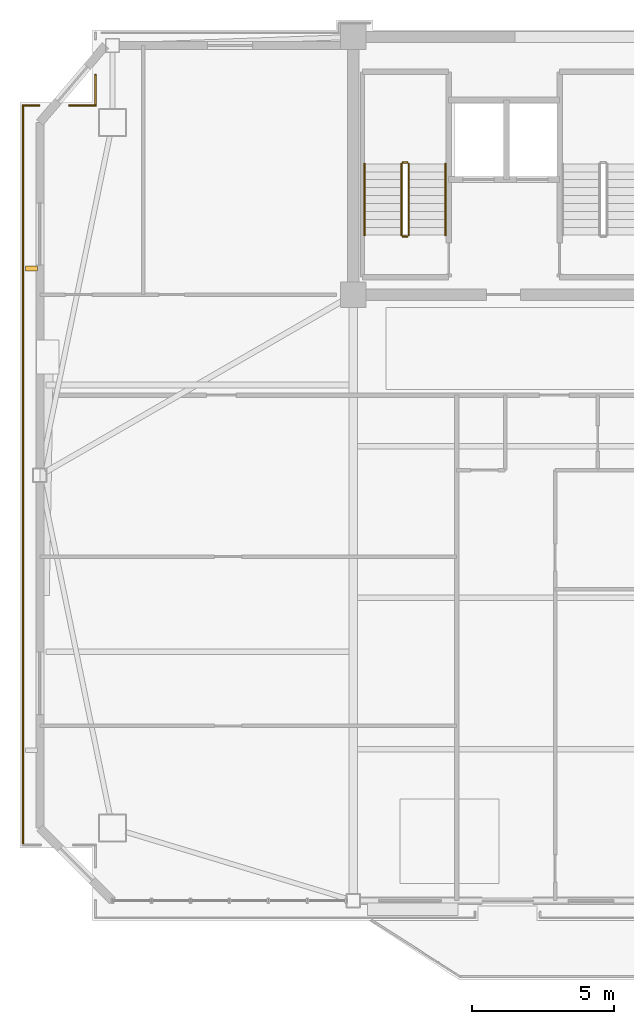
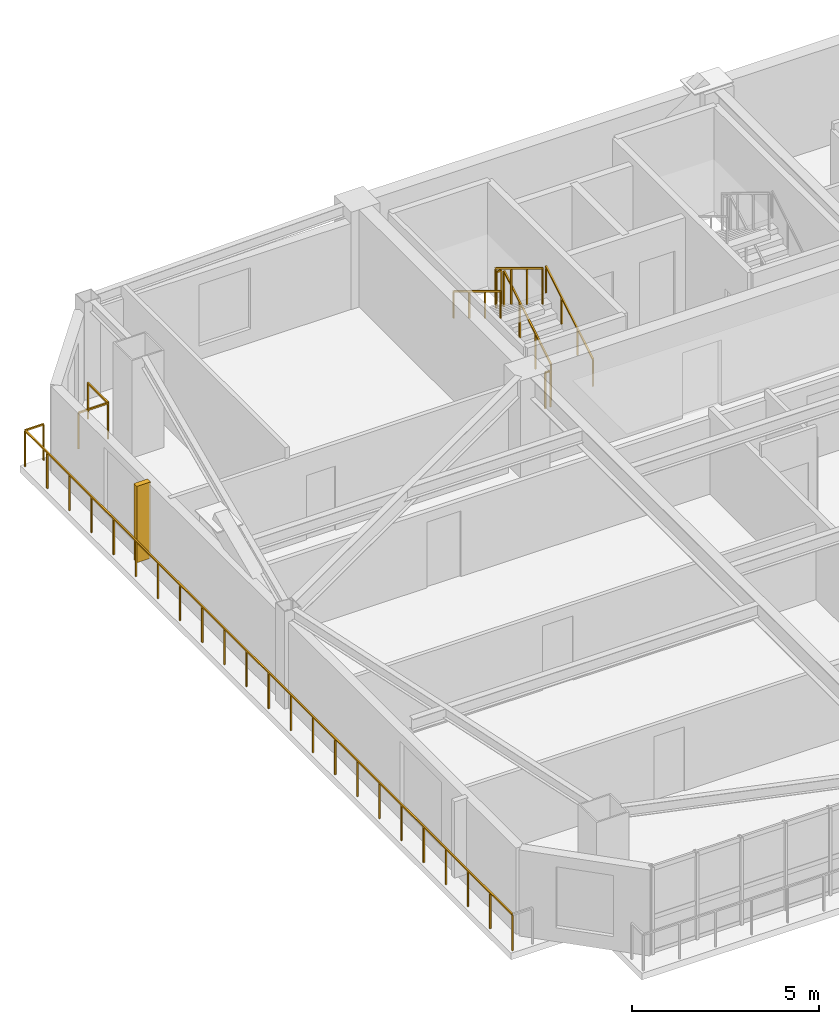
# One storey, part 14 of 18: 10 railings, 1 shading device.
"""IFC4 building model written with IfcOpenShell, lengths in metres."""

from ifc_helpers import new_model, si_unit, direction, frame, origin, origin_2d, place, context, subcontext, project, spatial, rectangle, extrude, source, transform, mapped, material, type_object, element, save


model = new_model("IFC4")

# Units and contexts
model_context = context("Model", 3, precision=1e-05, world=origin(), true_north=direction((0.0, 1.0)))
body_context = subcontext(model_context, "Body", "Model", "MODEL_VIEW")
ifc_project = project(units=[si_unit("LENGTHUNIT", "METRE"), si_unit("AREAUNIT", "SQUARE_METRE"), si_unit("VOLUMEUNIT", "CUBIC_METRE"), si_unit("PLANEANGLEUNIT", "RADIAN"), si_unit("MASSUNIT", "GRAM", prefix="KILO")], contexts=[model_context])

# Site, building, storey
site_placement = place(None, origin())
site = spatial("IfcSite", under=ifc_project, at=site_placement, CompositionType="ELEMENT")
building_placement = place(site_placement, origin())
building = spatial("IfcBuilding", under=site, at=building_placement, Name="Giltprow Tower", CompositionType="ELEMENT")
storey_placement = place(building_placement, frame((0.0, 0.0, 262.10009765625)))
storey = spatial("IfcBuildingStorey", under=building, at=storey_placement, Name="L67", CompositionType="ELEMENT", Elevation=262.10009765625)

# Railings
ifc_material = material(Name="Anodized bronze", Category="metal")
railing_type_1 = type_object("IfcRailingType", Name="RAIL-BALC-GUARD-1200", PredefinedType="BALUSTRADE", material=ifc_material)
railing_1_placement = place(storey_placement, frame((8.178955078125, 18.012939453125, 0.0)))
element("IfcRailing", 1, at=railing_1_placement, inside=storey, type_object=railing_type_1, Name="L67 Corner Apron Edge Balustrade 17", PredefinedType="BALUSTRADE", context=body_context, shape_type="SweptSolid", body=[
    extrude(rectangle(XDim=0.048095703125, YDim=0.048095703125, at=origin_2d()), frame((0.0, 0.0, 1.17578125), z_axis=(0.0, 1.0, 0.0), x_axis=(-1.0, 0.0, 0.0)), (0.0, 0.0, 1.0), 26.116943359375),
    extrude(rectangle(XDim=0.0419921875, YDim=0.0419921875, at=origin_2d()), origin(), (0.0, 0.0, 1.0), 1.15185546875),
    extrude(rectangle(XDim=0.0419921875, YDim=0.0419921875, at=origin_2d()), frame((0.0, 1.18701171875, 0.0)), (0.0, 0.0, 1.0), 1.15185546875),
    extrude(rectangle(XDim=0.0419921875, YDim=0.0419921875, at=origin_2d()), frame((0.0, 2.374267578125, 0.0)), (0.0, 0.0, 1.0), 1.15185546875),
    extrude(rectangle(XDim=0.0419921875, YDim=0.0419921875, at=origin_2d()), frame((0.0, 3.561279296875, 0.0)), (0.0, 0.0, 1.0), 1.15185546875),
    extrude(rectangle(XDim=0.0419921875, YDim=0.0419921875, at=origin_2d()), frame((0.0, 4.74853515625, 0.0)), (0.0, 0.0, 1.0), 1.15185546875),
    extrude(rectangle(XDim=0.0419921875, YDim=0.0419921875, at=origin_2d()), frame((0.0, 5.935546875, 0.0)), (0.0, 0.0, 1.0), 1.15185546875),
    extrude(rectangle(XDim=0.0419921875, YDim=0.0419921875, at=origin_2d()), frame((0.0, 7.122802734375, 0.0)), (0.0, 0.0, 1.0), 1.15185546875),
    extrude(rectangle(XDim=0.0419921875, YDim=0.0419921875, at=origin_2d()), frame((0.0, 8.31005859375, 0.0)), (0.0, 0.0, 1.0), 1.15185546875),
    extrude(rectangle(XDim=0.0419921875, YDim=0.0419921875, at=origin_2d()), frame((0.0, 9.4970703125, 0.0)), (0.0, 0.0, 1.0), 1.15185546875),
    extrude(rectangle(XDim=0.0419921875, YDim=0.0419921875, at=origin_2d()), frame((0.0, 10.68408203125, 0.0)), (0.0, 0.0, 1.0), 1.15185546875),
    extrude(rectangle(XDim=0.0419921875, YDim=0.0419921875, at=origin_2d()), frame((0.0, 11.871337890625, 0.0)), (0.0, 0.0, 1.0), 1.15185546875),
    extrude(rectangle(XDim=0.0419921875, YDim=0.0419921875, at=origin_2d()), frame((0.0, 13.05859375, 0.0)), (0.0, 0.0, 1.0), 1.15185546875),
    extrude(rectangle(XDim=0.0419921875, YDim=0.0419921875, at=origin_2d()), frame((0.0, 14.24560546875, 0.0)), (0.0, 0.0, 1.0), 1.15185546875),
    extrude(rectangle(XDim=0.0419921875, YDim=0.0419921875, at=origin_2d()), frame((0.0, 15.4326171875, 0.0)), (0.0, 0.0, 1.0), 1.15185546875),
    extrude(rectangle(XDim=0.0419921875, YDim=0.0419921875, at=origin_2d()), frame((0.0, 16.619873046875, 0.0)), (0.0, 0.0, 1.0), 1.15185546875),
    extrude(rectangle(XDim=0.0419921875, YDim=0.0419921875, at=origin_2d()), frame((0.0, 17.80712890625, 0.0)), (0.0, 0.0, 1.0), 1.15185546875),
    extrude(rectangle(XDim=0.0419921875, YDim=0.0419921875, at=origin_2d()), frame((0.0, 18.994140625, 0.0)), (0.0, 0.0, 1.0), 1.15185546875),
    extrude(rectangle(XDim=0.0419921875, YDim=0.0419921875, at=origin_2d()), frame((0.0, 20.18115234375, 0.0)), (0.0, 0.0, 1.0), 1.15185546875),
    extrude(rectangle(XDim=0.0419921875, YDim=0.0419921875, at=origin_2d()), frame((0.0, 21.368408203125, 0.0)), (0.0, 0.0, 1.0), 1.15185546875),
    extrude(rectangle(XDim=0.0419921875, YDim=0.0419921875, at=origin_2d()), frame((0.0, 22.5556640625, 0.0)), (0.0, 0.0, 1.0), 1.15185546875),
    extrude(rectangle(XDim=0.0419921875, YDim=0.0419921875, at=origin_2d()), frame((0.0, 23.74267578125, 0.0)), (0.0, 0.0, 1.0), 1.15185546875),
    extrude(rectangle(XDim=0.0419921875, YDim=0.0419921875, at=origin_2d()), frame((0.0, 24.9296875, 0.0)), (0.0, 0.0, 1.0), 1.15185546875),
    extrude(rectangle(XDim=0.0419921875, YDim=0.0419921875, at=origin_2d()), frame((0.0, 26.116943359375, 0.0)), (0.0, 0.0, 1.0), 1.15185546875),
])
railing_2_placement = place(storey_placement, frame((8.178955078125, 44.1298828125, 0.0)))
element("IfcRailing", 2, at=railing_2_placement, inside=storey, type_object=railing_type_1, Name="L67 Corner Apron Edge Balustrade 18", PredefinedType="BALUSTRADE", context=body_context, shape_type="SweptSolid", body=[
    extrude(rectangle(XDim=0.048095703125, YDim=0.048095703125, at=origin_2d()), frame((0.0, 0.0, 1.17578125), z_axis=(1.0, 0.0, 0.0), x_axis=(0.0, 1.0, 0.0)), (0.0, 0.0, 1.0), 0.572998046875),
    extrude(rectangle(XDim=0.0419921875, YDim=0.0419921875, at=origin_2d()), origin(), (0.0, 0.0, 1.0), 1.15185546875),
    extrude(rectangle(XDim=0.0419921875, YDim=0.0419921875, at=origin_2d()), frame((0.572998046875, 0.0, 0.0)), (0.0, 0.0, 1.0), 1.15185546875),
])
railing_3_placement = place(storey_placement, frame((9.8291015625, 44.1298828125, 0.0)))
element("IfcRailing", 3, at=railing_3_placement, inside=storey, type_object=railing_type_1, Name="L67 Corner Apron Edge Balustrade 19", PredefinedType="BALUSTRADE", context=body_context, shape_type="SweptSolid", body=[
    extrude(rectangle(XDim=0.048095703125, YDim=0.048095703125, at=origin_2d()), frame((0.0, 0.0, 1.17578125), z_axis=(1.0, 0.0, 0.0), x_axis=(0.0, 1.0, 0.0)), (0.0, 0.0, 1.0), 0.9189453125),
    extrude(rectangle(XDim=0.0419921875, YDim=0.0419921875, at=origin_2d()), origin(), (0.0, 0.0, 1.0), 1.15185546875),
    extrude(rectangle(XDim=0.0419921875, YDim=0.0419921875, at=origin_2d()), frame((0.9189453125, 0.0, 0.0)), (0.0, 0.0, 1.0), 1.15185546875),
])
railing_4_placement = place(storey_placement, frame((10.748046875, 44.1298828125, 0.0)))
element("IfcRailing", 4, at=railing_4_placement, inside=storey, type_object=railing_type_1, Name="L67 Corner Apron Edge Balustrade 20", PredefinedType="BALUSTRADE", context=body_context, shape_type="SweptSolid", body=[
    extrude(rectangle(XDim=0.048095703125, YDim=0.048095703125, at=origin_2d()), frame((0.0, 0.0, 1.17578125), z_axis=(0.0, 1.0, 0.0), x_axis=(-1.0, 0.0, 0.0)), (0.0, 0.0, 1.0), 1.078125),
    extrude(rectangle(XDim=0.0419921875, YDim=0.0419921875, at=origin_2d()), origin(), (0.0, 0.0, 1.0), 1.15185546875),
    extrude(rectangle(XDim=0.0419921875, YDim=0.0419921875, at=origin_2d()), frame((0.0, 1.078125, 0.0)), (0.0, 0.0, 1.0), 1.15185546875),
])
railing_type_2 = type_object("IfcRailingType", Name="RAIL-STAIR-GUARD-1200", PredefinedType="GUARDRAIL", material=ifc_material)
railing_5_placement = place(storey_placement, frame((21.81005859375, 39.550048828125, 0.169921875)))
element("IfcRailing", 5, at=railing_5_placement, inside=storey, type_object=railing_type_2, Name="L67 ST-1 stair guard 1", PredefinedType="GUARDRAIL", context=body_context, shape_type="SweptSolid", body=[
    extrude(rectangle(XDim=0.048095703125, YDim=0.048095703125, at=origin_2d()), frame((0.0, 0.0, 1.17578125), z_axis=(0.0, 0.85478489116, 0.518982456201), x_axis=(-1.0, 0.0, 0.0)), (0.0, 0.0, 1.0), 2.9482421875),
    extrude(rectangle(XDim=0.0419921875, YDim=0.0419921875, at=origin_2d()), origin(), (0.0, 0.0, 1.0), 1.15185546875),
    extrude(rectangle(XDim=0.0419921875, YDim=0.0419921875, at=origin_2d()), frame((0.0, 0.840087890625, 0.510009765625)), (0.0, 0.0, 1.0), 1.15185546875),
    extrude(rectangle(XDim=0.0419921875, YDim=0.0419921875, at=origin_2d()), frame((0.0, 1.679931640625, 1.02001953125)), (0.0, 0.0, 1.0), 1.15185546875),
    extrude(rectangle(XDim=0.0419921875, YDim=0.0419921875, at=origin_2d()), frame((0.0, 2.52001953125, 1.530029296875)), (0.0, 0.0, 1.0), 1.15185546875),
])
railing_6_placement = place(storey_placement, frame((21.760009765625, 42.1201171875, 1.699951171875)))
element("IfcRailing", 6, at=railing_6_placement, inside=storey, type_object=railing_type_2, Name="L67 ST-1 stair guard 2", PredefinedType="GUARDRAIL", context=body_context, shape_type="SweptSolid", body=[
    extrude(rectangle(XDim=0.048095703125, YDim=0.048095703125, at=origin_2d()), frame((0.0, 0.0, 1.17578125), z_axis=(-1.0, 0.0, 0.0), x_axis=(0.0, -1.0, 0.0)), (0.0, 0.0, 1.0), 0.159912109375),
    extrude(rectangle(XDim=0.0419921875, YDim=0.0419921875, at=origin_2d()), origin(), (0.0, 0.0, 1.0), 1.15185546875),
    extrude(rectangle(XDim=0.0419921875, YDim=0.0419921875, at=origin_2d()), frame((-0.159912109375, 0.0, 0.0)), (0.0, 0.0, 1.0), 1.15185546875),
])
railing_7_placement = place(storey_placement, frame((21.550048828125, 42.070068359375, 1.869873046875)))
element("IfcRailing", 7, at=railing_7_placement, inside=storey, type_object=railing_type_2, Name="L67 ST-1 stair guard 3", PredefinedType="GUARDRAIL", context=body_context, shape_type="SweptSolid", body=[
    extrude(rectangle(XDim=0.048095703125, YDim=0.048095703125, at=origin_2d()), frame((0.0, 0.0, 1.17578125), z_axis=(0.0, -0.85478489116, 0.518982456201), x_axis=(1.0, 0.0, 0.0)), (0.0, 0.0, 1.0), 2.9482421875),
    extrude(rectangle(XDim=0.0419921875, YDim=0.0419921875, at=origin_2d()), origin(), (0.0, 0.0, 1.0), 1.15185546875),
    extrude(rectangle(XDim=0.0419921875, YDim=0.0419921875, at=origin_2d()), frame((0.0, -0.840087890625, 0.510009765625)), (0.0, 0.0, 1.0), 1.15185546875),
    extrude(rectangle(XDim=0.0419921875, YDim=0.0419921875, at=origin_2d()), frame((0.0, -1.679931640625, 1.02001953125)), (0.0, 0.0, 1.0), 1.15185546875),
    extrude(rectangle(XDim=0.0419921875, YDim=0.0419921875, at=origin_2d()), frame((0.0, -2.52001953125, 1.530029296875)), (0.0, 0.0, 1.0), 1.15185546875),
])
railing_8_placement = place(storey_placement, frame((21.760009765625, 39.5, 0.0)))
element("IfcRailing", 8, at=railing_8_placement, inside=storey, type_object=railing_type_2, Name="L67 ST-1 stair guard 4", PredefinedType="GUARDRAIL", context=body_context, shape_type="SweptSolid", body=[
    extrude(rectangle(XDim=0.048095703125, YDim=0.048095703125, at=origin_2d()), frame((0.0, 0.0, 1.17578125), z_axis=(-1.0, 0.0, 0.0), x_axis=(0.0, -1.0, 0.0)), (0.0, 0.0, 1.0), 0.159912109375),
    extrude(rectangle(XDim=0.0419921875, YDim=0.0419921875, at=origin_2d()), origin(), (0.0, 0.0, 1.0), 1.15185546875),
    extrude(rectangle(XDim=0.0419921875, YDim=0.0419921875, at=origin_2d()), frame((-0.159912109375, 0.0, 0.0)), (0.0, 0.0, 1.0), 1.15185546875),
])
railing_type_3 = type_object("IfcRailingType", Name="RAIL-STAIR-HAND-900", PredefinedType="HANDRAIL", material=ifc_material)
railing_9_placement = place(storey_placement, frame((23.110107421875, 39.550048828125, 0.169921875)))
element("IfcRailing", 9, at=railing_9_placement, inside=storey, type_object=railing_type_3, Name="L67 ST-1 stair handrail 1", PredefinedType="HANDRAIL", context=body_context, shape_type="SweptSolid", body=[
    extrude(rectangle(XDim=0.048095703125, YDim=0.048095703125, at=origin_2d()), frame((0.0, 0.0, 0.8759765625), z_axis=(0.0, 0.85478489116, 0.518982456201), x_axis=(-1.0, 0.0, 0.0)), (0.0, 0.0, 1.0), 2.9482421875),
    extrude(rectangle(XDim=0.0419921875, YDim=0.0419921875, at=origin_2d()), origin(), (0.0, 0.0, 1.0), 0.851806640625),
    extrude(rectangle(XDim=0.0419921875, YDim=0.0419921875, at=origin_2d()), frame((0.0, 0.840087890625, 0.510009765625)), (0.0, 0.0, 1.0), 0.851806640625),
    extrude(rectangle(XDim=0.0419921875, YDim=0.0419921875, at=origin_2d()), frame((0.0, 1.679931640625, 1.02001953125)), (0.0, 0.0, 1.0), 0.851806640625),
    extrude(rectangle(XDim=0.0419921875, YDim=0.0419921875, at=origin_2d()), frame((0.0, 2.52001953125, 1.530029296875)), (0.0, 0.0, 1.0), 0.851806640625),
])
railing_10_placement = place(storey_placement, frame((20.25, 42.070068359375, 1.869873046875)))
element("IfcRailing", 10, at=railing_10_placement, inside=storey, type_object=railing_type_3, Name="L67 ST-1 stair handrail 2", PredefinedType="HANDRAIL", context=body_context, shape_type="SweptSolid", body=[
    extrude(rectangle(XDim=0.048095703125, YDim=0.048095703125, at=origin_2d()), frame((0.0, 0.0, 0.8759765625), z_axis=(0.0, -0.85478489116, 0.518982456201), x_axis=(1.0, 0.0, 0.0)), (0.0, 0.0, 1.0), 2.9482421875),
    extrude(rectangle(XDim=0.0419921875, YDim=0.0419921875, at=origin_2d()), origin(), (0.0, 0.0, 1.0), 0.851806640625),
    extrude(rectangle(XDim=0.0419921875, YDim=0.0419921875, at=origin_2d()), frame((0.0, -0.840087890625, 0.510009765625)), (0.0, 0.0, 1.0), 0.851806640625),
    extrude(rectangle(XDim=0.0419921875, YDim=0.0419921875, at=origin_2d()), frame((0.0, -1.679931640625, 1.02001953125)), (0.0, 0.0, 1.0), 0.851806640625),
    extrude(rectangle(XDim=0.0419921875, YDim=0.0419921875, at=origin_2d()), frame((0.0, -2.52001953125, 1.530029296875)), (0.0, 0.0, 1.0), 0.851806640625),
])

# Shading device
shading_device_type = type_object("IfcShadingDeviceType", Name="SHD-FIN-420", PredefinedType="USERDEFINED", material=ifc_material)
shared_shape = source(origin(), body_context, "Body", "SweptSolid", [
    extrude(rectangle(XDim=0.419921875, YDim=0.159912109375, at=origin_2d()), origin(), (0.0, 0.0, 1.0), 2.5),
])
shading_device_placement = place(storey_placement, frame((8.47900390625, 38.373046875, 0.349853515625), z_axis=(0.0, 0.0, 1.0), x_axis=(1.0, 0.0, 0.0)))
element("IfcShadingDevice", 11, at=shading_device_placement, inside=storey, type_object=shading_device_type, Name="L67 W Bronze Vertical Fin 2-1", ObjectType="FIN", PredefinedType="USERDEFINED", context=body_context, shape_type="MappedRepresentation", body=[
    mapped(shared_shape, transform((0.0, 0.0, 0.0), x_axis=(1.0, 0.0, 0.0), y_axis=(0.0, 1.0, 0.0), z_axis=(0.0, 0.0, 1.0), scale=1.0)),
])

save(model, "model.ifc")
